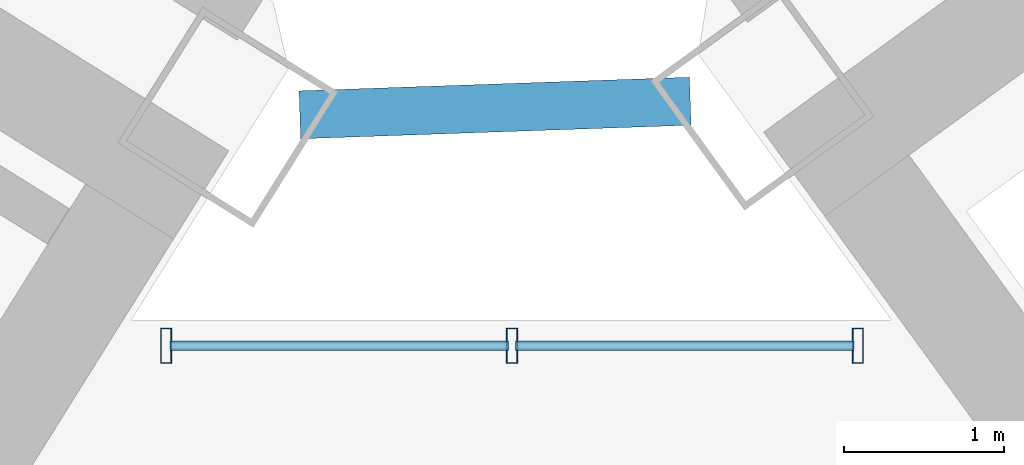
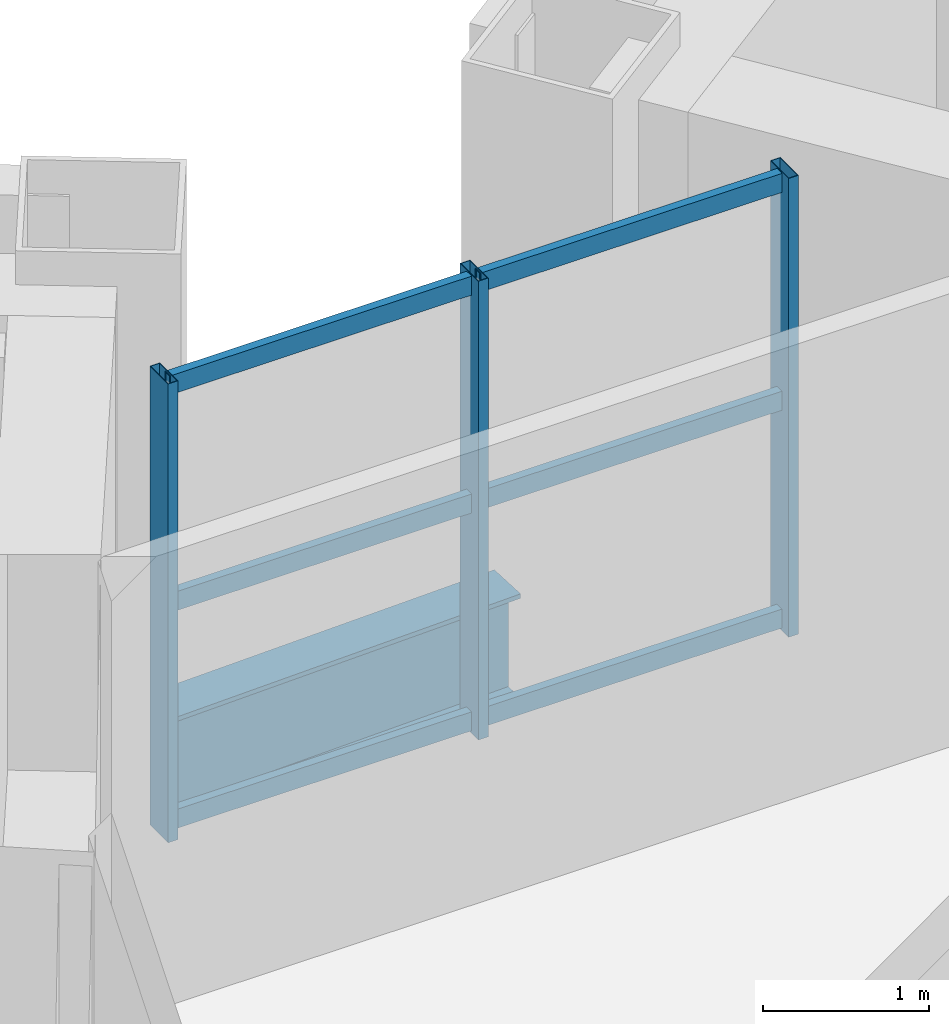
# One storey, part 11 of 24: 9 members, 1 beam, 1 element without a shape of its own.
"""IFC4 building model written with IfcOpenShell, lengths in metres."""

import ifcopenshell
import ifcopenshell.guid

model = None  # the IFC model being written
_history = None  # IfcOwnerHistory: only IFC2X3 demands one
_inside = {}  # id of a spatial element -> (the spatial element, [elements in it])
_under = {}  # id of a project, library or spatial element -> (it, [spatial elements below it])
_declared = {}  # id of a project -> (the project, [libraries it declares])
_typed = {}  # id of a type object -> (the type object, [elements of that type])
_made_of = {}  # id of a material, layer set ... -> (it, [elements and type objects made of it])


def new_model(schema):
    """Start an empty IFC model of exactly this schema.

    Asked for "IFC4X3", IfcOpenShell would pick the latest addendum, in which some entities
    have other attributes; the version numbers below select the first issue.
    IFC2X3 requires an IfcOwnerHistory on every rooted entity: one is made here for all.
    """
    global model, _history
    if schema == "IFC4X3":
        model = ifcopenshell.file(schema_version=(4, 3, 0, 0))
    else:
        model = ifcopenshell.file(schema=schema)
    _inside.clear()
    _under.clear()
    _declared.clear()
    _typed.clear()
    _made_of.clear()
    _history = None
    if model.schema == "IFC2X3":
        org = make("IfcOrganization", Name="unknown")
        user = make(
            "IfcPersonAndOrganization",
            ThePerson=make("IfcPerson", FamilyName="unknown"),
            TheOrganization=org,
        )
        app = make(
            "IfcApplication",
            ApplicationDeveloper=org,
            Version="unknown",
            ApplicationFullName="unknown",
            ApplicationIdentifier="unknown",
        )
        _history = make(
            "IfcOwnerHistory",
            OwningUser=user,
            OwningApplication=app,
            ChangeAction="ADDED",
            CreationDate=0,
        )
    return model


def make(cls, **values):
    """One entity of the class cls with the attributes given. An attribute that is None is left unset."""
    return model.create_entity(
        cls, **{name: value for name, value in values.items() if value is not None}
    )


def rooted(cls, **values):
    """An entity with a GlobalId (a new one), such as an element, a storey or a relation."""
    return make(cls, GlobalId=ifcopenshell.guid.new(), OwnerHistory=_history, **values)


def si_unit(unit_type, name, prefix=None):
    """IfcSIUnit, for example si_unit("LENGTHUNIT", "METRE", prefix="MILLI")."""
    return make("IfcSIUnit", UnitType=unit_type, Prefix=prefix, Name=name)


def assignment(units):
    """IfcUnitAssignment: the units of a project."""
    return None if units is None else make("IfcUnitAssignment", Units=units)


def point(xyz):
    """IfcCartesianPoint."""
    return None if xyz is None else make("IfcCartesianPoint", Coordinates=xyz)


def direction(xyz):
    """IfcDirection."""
    return None if xyz is None else make("IfcDirection", DirectionRatios=xyz)


def frame(location, z_axis=None, x_axis=None):
    """IfcAxis2Placement3D, a coordinate frame: its origin and axes. An axis left out is left unset."""
    return make(
        "IfcAxis2Placement3D",
        Location=point(location),
        Axis=direction(z_axis),
        RefDirection=direction(x_axis),
    )


def frame_2d(location, x_axis=None):
    """IfcAxis2Placement2D, a coordinate frame in the plane: its origin and x axis."""
    return make(
        "IfcAxis2Placement2D", Location=point(location), RefDirection=direction(x_axis)
    )


def origin():
    """The frame at (0, 0, 0) with its axes left unset."""
    return frame((0.0, 0.0, 0.0))


def origin_2d():
    """The frame at (0, 0) in the plane with its x axis left unset."""
    return frame_2d((0.0, 0.0))


def place(relative_to, where):
    """IfcLocalPlacement: puts the frame where relative to a parent placement (None: the world)."""
    return make(
        "IfcLocalPlacement", PlacementRelTo=relative_to, RelativePlacement=where
    )


def context(
    kind, dimensions, precision=None, world=None, true_north=None, identifier=None
):
    """IfcGeometricRepresentationContext, for example the 3D "Model" context."""
    return make(
        "IfcGeometricRepresentationContext",
        ContextIdentifier=identifier,
        ContextType=kind,
        CoordinateSpaceDimension=dimensions,
        Precision=precision,
        WorldCoordinateSystem=world,
        TrueNorth=true_north,
    )


def subcontext(parent, identifier, kind, view, scale=None):
    """IfcGeometricRepresentationSubContext, for example "Body" below "Model"."""
    return make(
        "IfcGeometricRepresentationSubContext",
        ContextIdentifier=identifier,
        ContextType=kind,
        ParentContext=parent,
        TargetScale=scale,
        TargetView=view,
    )


def project(units=None, contexts=None):
    """IfcProject with its units and contexts."""
    return rooted(
        "IfcProject",
        Name="project",
        RepresentationContexts=contexts,
        UnitsInContext=assignment(units),
    )


def spatial(cls, under=None, at=None, **own):
    """A site, building, storey or space (cls), placed at a placement, below another one or the project."""
    s = rooted(cls, ObjectPlacement=at, **own)
    if under is not None:
        _under.setdefault(under.id(), (under, []))[1].append(s)
    return s


def profile(cls, at=None, kind="AREA", **sizes):
    """A parametric profile (cls). Its sizes go by their IFC names, for example OverallWidth=200.0."""
    return make(cls, ProfileType=kind, Position=at, **sizes)


def hollow_rectangle(**sizes):
    """IfcRectangleHollowProfileDef."""
    return profile("IfcRectangleHollowProfileDef", **sizes)


def i_section(**sizes):
    """IfcIShapeProfileDef."""
    return profile("IfcIShapeProfileDef", **sizes)


def extrude(swept, where, along, depth):
    """IfcExtrudedAreaSolid: the profile swept, set in the frame where, extruded along a direction by depth."""
    return make(
        "IfcExtrudedAreaSolid",
        SweptArea=swept,
        Position=where,
        ExtrudedDirection=direction(along),
        Depth=depth,
    )


def shape(context_of_items, identifier, shape_type, items):
    """IfcShapeRepresentation: the items that make up one representation, for example the "Body"."""
    return make(
        "IfcShapeRepresentation",
        ContextOfItems=context_of_items,
        RepresentationIdentifier=identifier,
        RepresentationType=shape_type,
        Items=items,
    )


def source(mapping_origin, context_of_items, identifier, shape_type, items):
    """IfcRepresentationMap: a shape defined once, which mapped items show again and again."""
    return make(
        "IfcRepresentationMap",
        MappingOrigin=mapping_origin,
        MappedRepresentation=shape(context_of_items, identifier, shape_type, items),
    )


def transform(
    local_origin,
    x_axis=None,
    y_axis=None,
    z_axis=None,
    scale=None,
    scale2=None,
    scale3=None,
    uniform=True,
):
    """IfcCartesianTransformationOperator3D, or its non-uniform kind. x_axis, y_axis, z_axis: its Axis1, 2, 3."""
    if uniform:
        return make(
            "IfcCartesianTransformationOperator3D",
            Axis1=direction(x_axis),
            Axis2=direction(y_axis),
            LocalOrigin=point(local_origin),
            Scale=scale,
            Axis3=direction(z_axis),
        )
    return make(
        "IfcCartesianTransformationOperator3DnonUniform",
        Axis1=direction(x_axis),
        Axis2=direction(y_axis),
        LocalOrigin=point(local_origin),
        Scale=scale,
        Axis3=direction(z_axis),
        Scale2=scale2,
        Scale3=scale3,
    )


def mapped(mapping_source, mapping_target):
    """IfcMappedItem: shows the shape of a source again, moved by a transform."""
    return make(
        "IfcMappedItem", MappingSource=mapping_source, MappingTarget=mapping_target
    )


def material(Name=None, Category=None):
    """IfcMaterial."""
    return make("IfcMaterial", Name=Name, Category=Category)


def material_profile(
    of_material, cross_section, Name=None, Category=None, Priority=None
):
    """IfcMaterialProfile: a cross section and its material."""
    return make(
        "IfcMaterialProfile",
        Name=Name,
        Material=of_material,
        Profile=cross_section,
        Priority=Priority,
        Category=Category,
    )


def profile_set(profiles, Name=None, composite=None):
    """IfcMaterialProfileSet."""
    return make(
        "IfcMaterialProfileSet",
        Name=Name,
        MaterialProfiles=profiles,
        CompositeProfile=composite,
    )


def made_of(thing, what):
    """Note that an element or type object is made of a material, layer set ...; save() writes the relation."""
    if what is not None:
        _made_of.setdefault(what.id(), (what, []))[1].append(thing)
    return thing


def type_object(cls, material=None, **own):
    """A type object (cls), such as IfcWallType, which elements share."""
    return made_of(rooted(cls, **own), material)


def element(
    cls,
    number,
    at=None,
    inside=None,
    cuts=None,
    type_object=None,
    material=None,
    context=None,
    identifier="Body",
    shape_type=None,
    held_by="IfcProductDefinitionShape",
    body=None,
    shapes=None,
    **own,
):
    """One element of the class cls, such as IfcWall. Its Tag is "e" and its number.

    at: its placement. inside: the storey or other place that contains it. cuts: it is an
    opening in that element (IfcRelVoidsElement). A single representation is given by context,
    identifier, shape_type and body (its items); several are given by shapes. held_by: the class
    of the entity that holds the representations. save() writes the other relations.
    """
    e = rooted(cls, Tag="e%d" % number, ObjectPlacement=at, **own)
    if body is not None:
        shapes = [shape(context, identifier, shape_type, body)]
    if shapes is not None:
        e.Representation = make(held_by, Representations=shapes)
    if inside is not None:
        _inside.setdefault(inside.id(), (inside, []))[1].append(e)
    if cuts is not None:
        rooted(
            "IfcRelVoidsElement", RelatingBuildingElement=cuts, RelatedOpeningElement=e
        )
    if type_object is not None:
        _typed.setdefault(type_object.id(), (type_object, []))[1].append(e)
    return made_of(e, material)


def aggregate(whole, parts):
    """IfcRelAggregates: a whole, such as a stair, and the parts it consists of."""
    return rooted("IfcRelAggregates", RelatingObject=whole, RelatedObjects=parts)


def save(model, path):
    """Write the relations noted so far, then the file.

    IfcRelAggregates (storeys below a building ...), IfcRelContainedInSpatialStructure (elements
    in a storey), IfcRelDefinesByType, IfcRelAssociatesMaterial and IfcRelDeclares: one each for
    every whole, place, type object, material and project.
    """
    for whole, parts in _under.values():
        aggregate(whole, parts)
    for where, things in _inside.values():
        rooted(
            "IfcRelContainedInSpatialStructure",
            RelatedElements=things,
            RelatingStructure=where,
        )
    for kind, things in _typed.values():
        rooted("IfcRelDefinesByType", RelatedObjects=things, RelatingType=kind)
    for what, things in _made_of.values():
        rooted("IfcRelAssociatesMaterial", RelatedObjects=things, RelatingMaterial=what)
    for by, libraries in _declared.values():
        rooted("IfcRelDeclares", RelatingContext=by, RelatedDefinitions=libraries)
    model.write(path)


model = new_model("IFC4")

# Units and contexts
model_context = context("Model", 3, precision=1e-05, world=origin(), true_north=direction((0.0, 1.0)))
body_context = subcontext(model_context, "Body", "Model", "MODEL_VIEW")
ifc_project = project(units=[si_unit("LENGTHUNIT", "METRE"), si_unit("AREAUNIT", "SQUARE_METRE"), si_unit("VOLUMEUNIT", "CUBIC_METRE"), si_unit("PLANEANGLEUNIT", "RADIAN"), si_unit("MASSUNIT", "GRAM", prefix="KILO")], contexts=[model_context])

# Site, building, storey
site_placement = place(None, origin())
site = spatial("IfcSite", under=ifc_project, at=site_placement, CompositionType="ELEMENT")
building_placement = place(site_placement, origin())
building = spatial("IfcBuilding", under=site, at=building_placement, Name="Tlacorven Tower", CompositionType="ELEMENT")
storey_placement = place(building_placement, frame((0.0, 0.0, 38.39990234375)))
storey = spatial("IfcBuildingStorey", under=building, at=storey_placement, Name="L09", CompositionType="ELEMENT", Elevation=38.39990234375)

# Beam
ifc_material_1 = material(Name="Steel S355J2", Category="steel")
ifc_material_profile_1 = material_profile(ifc_material_1, i_section(OverallWidth=0.300048828125, OverallDepth=0.800048828125, WebThickness=0.017578125, FlangeThickness=0.032958984375, at=origin_2d()), Name="HEB 800")
ifc_profile_set_1 = profile_set([ifc_material_profile_1], Name="Steel S355J2")
beam_type = type_object("IfcBeamType", Name="BM-POD-800", PredefinedType="BEAM", material=ifc_profile_set_1)
shared_shape_1 = source(origin(), body_context, "Body", "SweptSolid", [
    extrude(i_section(OverallWidth=0.300048828125, OverallDepth=0.800048828125, WebThickness=0.017578125, FlangeThickness=0.032958984375, at=origin_2d()), origin(), (0.0, 0.0, 1.0), 2.44287109375),
])
beam_placement = place(storey_placement, frame((41.232666015625, 24.484130859375, -0.64990234375), z_axis=(0.999391550767, 0.034878765122, 0.0), x_axis=(-0.034878765122, 0.999391550767, 0.0)))
element("IfcBeam", 1, at=beam_placement, inside=storey, type_object=beam_type, Name="L09 Knuckle Link Girder 1", PredefinedType="BEAM", context=body_context, shape_type="MappedRepresentation", body=[
    mapped(shared_shape_1, transform((0.0, 0.0, 0.0), scale=1.0)),
])

# Curtain wall, members
ifc_material_2 = material(Name="Dark solar low-E double glazing in aluminium frame", Category="aluminium")
curtain_wall_type = type_object("IfcCurtainWallType", Name="CW-TWR-LOW", PredefinedType="USERDEFINED", material=ifc_material_2)
curtain_wall_placement = place(storey_placement, origin())
curtain_wall = element("IfcCurtainWall", 2, at=curtain_wall_placement, inside=storey, type_object=curtain_wall_type, Name="L09 CW-TWR-LOW Curtain Wall 50", ObjectType="UNITISED CURTAIN WALL", PredefinedType="USERDEFINED")
ifc_material_3 = material(Name="Aluminium 6063-T6 anodised", Category="aluminium")
ifc_material_profile_2 = material_profile(ifc_material_3, hollow_rectangle(XDim=0.070068359375, YDim=0.219970703125, WallThickness=0.0048828125, at=origin_2d()), Name="ALU MULLION 70X220")
ifc_profile_set_2 = profile_set([ifc_material_profile_2], Name="Aluminium 6063-T6 anodised")
member_type_1 = type_object("IfcMemberType", Name="CWM-01", PredefinedType="MULLION", material=ifc_profile_set_2)
shared_shape_2 = source(origin(), body_context, "Body", "SweptSolid", [
    extrude(hollow_rectangle(XDim=0.070068359375, YDim=0.219970703125, WallThickness=0.0048828125, at=origin_2d()), origin(), (0.0, 0.0, 1.0), 3.380126953125),
])
member_1_placement = place(storey_placement, frame((40.396728515625, 23.0400390625, -0.02001953125), z_axis=(0.0, 0.0, 1.0), x_axis=(1.0, 0.0, 0.0)))
member_1 = element("IfcMember", 3, at=member_1_placement, type_object=member_type_1, Name="CW-L09-050 Mullion 1", PredefinedType="MULLION", context=body_context, shape_type="MappedRepresentation", body=[
    mapped(shared_shape_2, transform((0.0, 0.0, 0.0), scale=1.0)),
])
member_2_placement = place(storey_placement, frame((42.559326171875, 23.0400390625, -0.02001953125), z_axis=(0.0, 0.0, 1.0), x_axis=(1.0, 0.0, 0.0)))
member_2 = element("IfcMember", 4, at=member_2_placement, type_object=member_type_1, Name="CW-L09-050 Mullion 2", PredefinedType="MULLION", context=body_context, shape_type="MappedRepresentation", body=[
    mapped(shared_shape_2, transform((0.0, 0.0, 0.0), scale=1.0)),
])
member_3_placement = place(storey_placement, frame((44.721923828125, 23.0400390625, -0.02001953125), z_axis=(0.0, 0.0, 1.0), x_axis=(1.0, 0.0, 0.0)))
member_3 = element("IfcMember", 5, at=member_3_placement, type_object=member_type_1, Name="CW-L09-050 Mullion 3", PredefinedType="MULLION", context=body_context, shape_type="MappedRepresentation", body=[
    mapped(shared_shape_2, transform((0.0, 0.0, 0.0), scale=1.0)),
])
ifc_material_profile_3 = material_profile(ifc_material_3, hollow_rectangle(XDim=0.06005859375, YDim=0.139892578125, WallThickness=0.00390625, at=origin_2d()), Name="ALU TRANSOM 60X140")
ifc_profile_set_3 = profile_set([ifc_material_profile_3], Name="Aluminium 6063-T6 anodised")
member_type_2 = type_object("IfcMemberType", Name="CWT-02", PredefinedType="USERDEFINED", material=ifc_profile_set_3)
shared_shape_3 = source(origin(), body_context, "Body", "SweptSolid", [
    extrude(hollow_rectangle(XDim=0.06005859375, YDim=0.139892578125, WallThickness=0.00390625, at=origin_2d()), origin(), (0.0, 0.0, 1.0), 2.116455078125),
])
member_4_placement = place(storey_placement, frame((40.419921875, 23.0400390625, 0.070068359375), z_axis=(1.0, 0.0, 0.0), x_axis=(0.0, 1.0, 0.0)))
member_4 = element("IfcMember", 6, at=member_4_placement, type_object=member_type_2, Name="CW-L09-050 Transom 1", ObjectType="TRANSOM", PredefinedType="USERDEFINED", context=body_context, shape_type="MappedRepresentation", body=[
    mapped(shared_shape_3, transform((0.0, 0.0, 0.0), scale=1.0)),
])
member_5_placement = place(storey_placement, frame((40.419921875, 23.0400390625, 1.675048828125), z_axis=(1.0, 0.0, 0.0), x_axis=(0.0, 1.0, 0.0)))
member_5 = element("IfcMember", 7, at=member_5_placement, type_object=member_type_2, Name="CW-L09-050 Transom 2", ObjectType="TRANSOM", PredefinedType="USERDEFINED", context=body_context, shape_type="MappedRepresentation", body=[
    mapped(shared_shape_3, transform((0.0, 0.0, 0.0), scale=1.0)),
])
member_6_placement = place(storey_placement, frame((40.419921875, 23.0400390625, 3.280029296875), z_axis=(1.0, 0.0, 0.0), x_axis=(0.0, 1.0, 0.0)))
member_6 = element("IfcMember", 8, at=member_6_placement, type_object=member_type_2, Name="CW-L09-050 Transom 3", ObjectType="TRANSOM", PredefinedType="USERDEFINED", context=body_context, shape_type="MappedRepresentation", body=[
    mapped(shared_shape_3, transform((0.0, 0.0, 0.0), scale=1.0)),
])
shared_shape_4 = source(origin(), body_context, "Body", "SweptSolid", [
    extrude(hollow_rectangle(XDim=0.06005859375, YDim=0.139892578125, WallThickness=0.00390625, at=origin_2d()), origin(), (0.0, 0.0, 1.0), 2.11669921875),
])
member_7_placement = place(storey_placement, frame((42.582275390625, 23.0400390625, 0.070068359375), z_axis=(1.0, 0.0, 0.0), x_axis=(0.0, 1.0, 0.0)))
member_7 = element("IfcMember", 9, at=member_7_placement, type_object=member_type_2, Name="CW-L09-050 Transom 4", ObjectType="TRANSOM", PredefinedType="USERDEFINED", context=body_context, shape_type="MappedRepresentation", body=[
    mapped(shared_shape_4, transform((0.0, 0.0, 0.0), scale=1.0)),
])
member_8_placement = place(storey_placement, frame((42.582275390625, 23.0400390625, 1.675048828125), z_axis=(1.0, 0.0, 0.0), x_axis=(0.0, 1.0, 0.0)))
member_8 = element("IfcMember", 10, at=member_8_placement, type_object=member_type_2, Name="CW-L09-050 Transom 5", ObjectType="TRANSOM", PredefinedType="USERDEFINED", context=body_context, shape_type="MappedRepresentation", body=[
    mapped(shared_shape_4, transform((0.0, 0.0, 0.0), scale=1.0)),
])
member_9_placement = place(storey_placement, frame((42.582275390625, 23.0400390625, 3.280029296875), z_axis=(1.0, 0.0, 0.0), x_axis=(0.0, 1.0, 0.0)))
member_9 = element("IfcMember", 11, at=member_9_placement, type_object=member_type_2, Name="CW-L09-050 Transom 6", ObjectType="TRANSOM", PredefinedType="USERDEFINED", context=body_context, shape_type="MappedRepresentation", body=[
    mapped(shared_shape_4, transform((0.0, 0.0, 0.0), scale=1.0)),
])
aggregate(curtain_wall, [member_1, member_2, member_3, member_4, member_5, member_6, member_7, member_8, member_9])

save(model, "model.ifc")
